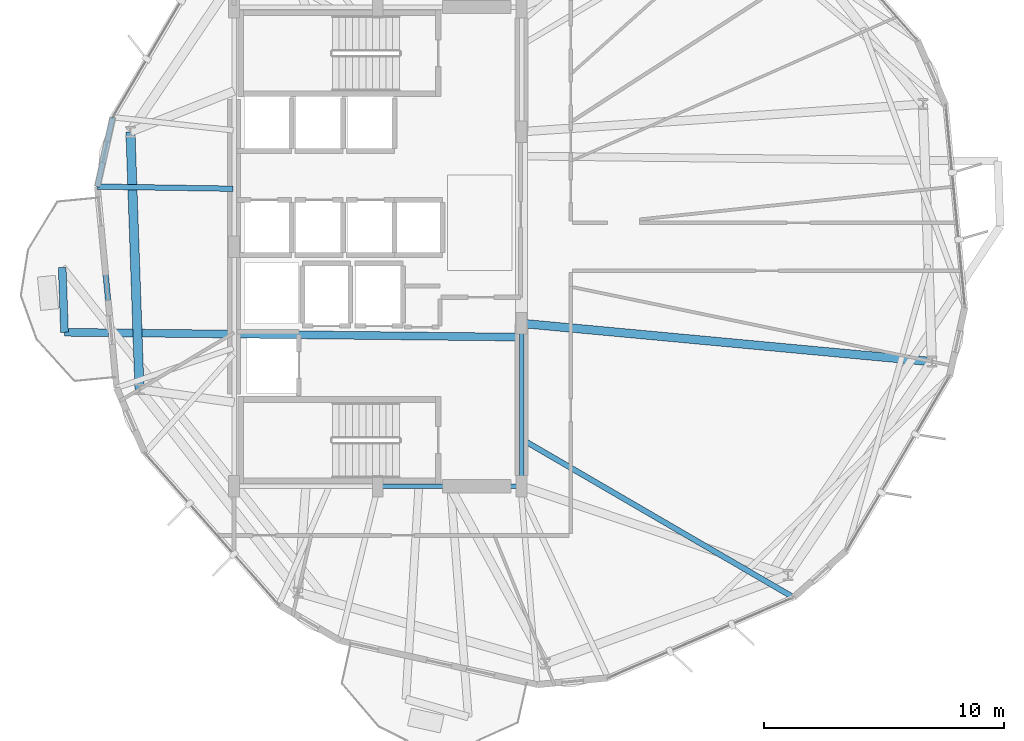
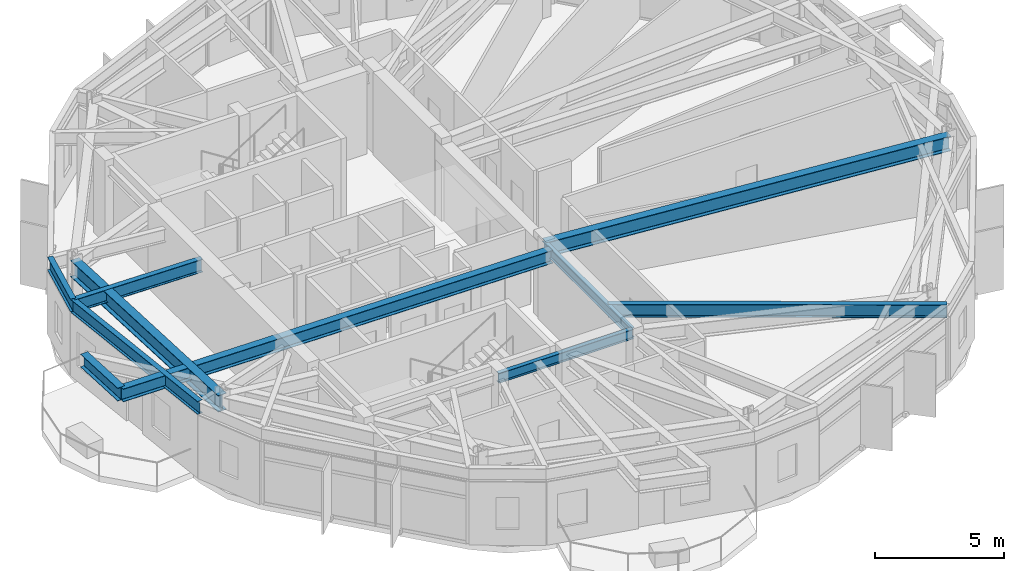
# One storey, part 7 of 23: 10 beams.
"""IFC4 building model written with IfcOpenShell, lengths in metres."""

from ifc_helpers import new_model, si_unit, direction, frame, origin, origin_2d, place, context, subcontext, project, spatial, i_section, extrude, material, material_profile, profile_set, type_object, element, save


model = new_model("IFC4")

# Units and contexts
model_context = context("Model", 3, precision=1e-05, world=origin(), true_north=direction((0.0, 1.0)))
body_context = subcontext(model_context, "Body", "Model", "MODEL_VIEW")
ifc_project = project(units=[si_unit("LENGTHUNIT", "METRE"), si_unit("AREAUNIT", "SQUARE_METRE"), si_unit("VOLUMEUNIT", "CUBIC_METRE"), si_unit("PLANEANGLEUNIT", "RADIAN"), si_unit("MASSUNIT", "GRAM", prefix="KILO")], contexts=[model_context])

# Site, building, storey
site_placement = place(None, origin())
site = spatial("IfcSite", under=ifc_project, at=site_placement, CompositionType="ELEMENT")
building_placement = place(site_placement, origin())
building = spatial("IfcBuilding", under=site, at=building_placement, Name="Soratama Intermodal Tower", CompositionType="ELEMENT")
storey_placement = place(building_placement, frame((0.0, 0.0, 118.60009765625)))
storey = spatial("IfcBuildingStorey", under=building, at=storey_placement, Name="L28", CompositionType="ELEMENT", Elevation=118.60009765625)

# Beams
ifc_material_1 = material(Name="Structural steel ASTM A992 Grade 50", Category="steel")
ifc_material_profile_1 = material_profile(ifc_material_1, i_section(OverallWidth=0.324951171875, OverallDepth=0.615966796875, WebThickness=0.013916015625, FlangeThickness=0.021484375, FilletRadius=0.013916015625, at=origin_2d()), Name="W24X117")
ifc_profile_set_1 = profile_set([ifc_material_profile_1], Name="Structural steel ASTM A992 Grade 50")
beam_type_1 = type_object("IfcBeamType", Name="BM-CANT-W24X117", PredefinedType="BEAM", material=ifc_profile_set_1)
beam_1_placement = place(storey_placement, frame((25.425048828125, 24.135986328125, 3.2919921875), z_axis=(0.035408722991, -0.99937291455, 0.0), x_axis=(0.99937291455, 0.035408722991, 0.0)))
element("IfcBeam", 1, at=beam_1_placement, inside=storey, type_object=beam_type_1, Name="BM-L28-CBHDR-2", PredefinedType="BEAM", context=body_context, shape_type="SweptSolid", body=[
    extrude(i_section(OverallWidth=0.324951171875, OverallDepth=0.615966796875, WebThickness=0.013916015625, FlangeThickness=0.021484375, FilletRadius=0.013916015625, at=origin_2d()), origin(), (0.0, 0.0, 1.0), 2.709716796875),
])
beam_2_placement = place(storey_placement, frame((44.56005859375, 21.22607421875, 3.2919921875), z_axis=(-0.999943774493, 0.010604143177, 0.0), x_axis=(-0.010604143177, -0.999943774493, 0.0)))
element("IfcBeam", 2, at=beam_2_placement, inside=storey, type_object=beam_type_1, Name="BM-L28-CANT-2-2", PredefinedType="BEAM", context=body_context, shape_type="SweptSolid", body=[
    extrude(i_section(OverallWidth=0.324951171875, OverallDepth=0.615966796875, WebThickness=0.013916015625, FlangeThickness=0.021484375, FilletRadius=0.013916015625, at=origin_2d()), origin(), (0.0, 0.0, 1.0), 19.0400390625),
])
ifc_material_2 = material(Name="Structural steel ASTM A992 Grade 50", Category="steel")
ifc_material_profile_2 = material_profile(ifc_material_2, i_section(OverallWidth=0.19091796875, OverallDepth=0.4599609375, WebThickness=0.010009765625, FlangeThickness=0.01611328125, FilletRadius=0.010986328125, at=origin_2d()), Name="W18X55")
ifc_profile_set_2 = profile_set([ifc_material_profile_2], Name="Structural steel ASTM A992 Grade 50")
beam_type_2 = type_object("IfcBeamType", Name="BM-FLR-W18X55", PredefinedType="BEAM", material=ifc_profile_set_2)
beam_3_placement = place(storey_placement, frame((38.60009765625, 15.0, 3.369873046875), z_axis=(1.0, 0.0, 0.0), x_axis=(0.0, 1.0, 0.0)))
element("IfcBeam", 3, at=beam_3_placement, inside=storey, type_object=beam_type_2, Name="BM-L28-CRING-02", PredefinedType="BEAM", context=body_context, shape_type="SweptSolid", body=[
    extrude(i_section(OverallWidth=0.19091796875, OverallDepth=0.4599609375, WebThickness=0.010009765625, FlangeThickness=0.01611328125, FilletRadius=0.010986328125, at=origin_2d()), origin(), (0.0, 0.0, 1.0), 6.0),
])
beam_4_placement = place(storey_placement, frame((44.60009765625, 15.0, 3.369873046875), z_axis=(0.0, 1.0, 0.0), x_axis=(-1.0, 0.0, 0.0)))
element("IfcBeam", 4, at=beam_4_placement, inside=storey, type_object=beam_type_2, Name="BM-L28-CRING-03", PredefinedType="BEAM", context=body_context, shape_type="SweptSolid", body=[
    extrude(i_section(OverallWidth=0.19091796875, OverallDepth=0.4599609375, WebThickness=0.010009765625, FlangeThickness=0.01611328125, FilletRadius=0.010986328125, at=origin_2d()), origin(), (0.0, 0.0, 1.0), 6.800048828125),
])
ifc_material_3 = material(Name="Structural steel ASTM A992 Grade 50", Category="steel")
ifc_material_profile_3 = material_profile(ifc_material_3, i_section(OverallWidth=0.35498046875, OverallDepth=0.695068359375, WebThickness=0.015380859375, FlangeThickness=0.02490234375, FilletRadius=0.01611328125, at=origin_2d()), Name="W27X146")
ifc_profile_set_3 = profile_set([ifc_material_profile_3], Name="Structural steel ASTM A992 Grade 50")
beam_type_3 = type_object("IfcBeamType", Name="BM-RING-W27X146", PredefinedType="BEAM", material=ifc_profile_set_3)
beam_5_placement = place(storey_placement, frame((44.60009765625, 21.800048828125, 3.25244140625), z_axis=(0.995686011515, -0.092786671855, 0.0), x_axis=(0.092786671855, 0.995686011515, 0.0)))
element("IfcBeam", 5, at=beam_5_placement, inside=storey, type_object=beam_type_3, Name="BM-L28-RAD-10", PredefinedType="BEAM", context=body_context, shape_type="SweptSolid", body=[
    extrude(i_section(OverallWidth=0.35498046875, OverallDepth=0.695068359375, WebThickness=0.015380859375, FlangeThickness=0.02490234375, FilletRadius=0.01611328125, at=origin_2d()), origin(), (0.0, 0.0, 1.0), 17.2001953125),
])
ifc_material_4 = material(Name="Structural steel ASTM A992 Grade 50", Category="steel")
ifc_material_profile_4 = material_profile(ifc_material_4, i_section(OverallWidth=0.382080078125, OverallDepth=0.779052734375, WebThickness=0.01806640625, FlangeThickness=0.030029296875, FilletRadius=0.01806640625, at=origin_2d()), Name="W30X191")
ifc_profile_set_4 = profile_set([ifc_material_profile_4], Name="Structural steel ASTM A992 Grade 50")
beam_type_4 = type_object("IfcBeamType", Name="BM-RING-W30X191", PredefinedType="BEAM", material=ifc_profile_set_4)
beam_6_placement = place(storey_placement, frame((28.27392578125, 29.7958984375, 3.21044921875), z_axis=(0.034872799059, -0.999391758964, 0.0), x_axis=(0.999391758964, 0.034872799059, 0.0)))
element("IfcBeam", 6, at=beam_6_placement, inside=storey, type_object=beam_type_4, Name="BM-L28-RING-05", PredefinedType="BEAM", context=body_context, shape_type="SweptSolid", body=[
    extrude(i_section(OverallWidth=0.382080078125, OverallDepth=0.779052734375, WebThickness=0.01806640625, FlangeThickness=0.030029296875, FilletRadius=0.01806640625, at=origin_2d()), origin(), (0.0, 0.0, 1.0), 10.75341796875),
])
ifc_material_5 = material(Name="Structural steel ASTM A992 Grade 50", Category="steel")
ifc_material_profile_5 = material_profile(ifc_material_5, i_section(OverallWidth=0.22900390625, OverallDepth=0.612060546875, WebThickness=0.011962890625, FlangeThickness=0.01953125, FilletRadius=0.012939453125, at=origin_2d()), Name="W24X84")
ifc_profile_set_5 = profile_set([ifc_material_profile_5], Name="Structural steel ASTM A992 Grade 50")
beam_type_5 = type_object("IfcBeamType", Name="BM-SPN-W24X84", PredefinedType="SPANDREL", material=ifc_profile_set_5)
beam_7_placement = place(storey_placement, frame((27.532958984375, 30.405029296875, 3.2939453125), z_axis=(-0.217087294611, -0.976152194342, 0.0), x_axis=(0.976152194342, -0.217087294611, 0.0)))
element("IfcBeam", 7, at=beam_7_placement, inside=storey, type_object=beam_type_5, Name="BS-L28-CRN04", PredefinedType="SPANDREL", context=body_context, shape_type="SweptSolid", body=[
    extrude(i_section(OverallWidth=0.22900390625, OverallDepth=0.612060546875, WebThickness=0.011962890625, FlangeThickness=0.01953125, FilletRadius=0.012939453125, at=origin_2d()), origin(), (0.0, 0.0, 1.0), 2.966796875),
])
beam_8_placement = place(storey_placement, frame((26.888916015625, 27.509033203125, 3.2939453125), z_axis=(0.095124369878, -0.99546539581, 0.0), x_axis=(0.99546539581, 0.095124369878, 0.0)))
element("IfcBeam", 8, at=beam_8_placement, inside=storey, type_object=beam_type_5, Name="BS-L28-F05", PredefinedType="SPANDREL", context=body_context, shape_type="SweptSolid", body=[
    extrude(i_section(OverallWidth=0.22900390625, OverallDepth=0.612060546875, WebThickness=0.011962890625, FlangeThickness=0.01953125, FilletRadius=0.012939453125, at=origin_2d()), origin(), (0.0, 0.0, 1.0), 8.44140625),
])
ifc_material_6 = material(Name="Structural steel ASTM A992 Grade 50", Category="steel")
ifc_material_profile_6 = material_profile(ifc_material_6, i_section(OverallWidth=0.22900390625, OverallDepth=0.612060546875, WebThickness=0.011962890625, FlangeThickness=0.01953125, FilletRadius=0.012939453125, at=origin_2d()), Name="W24X84")
ifc_profile_set_6 = profile_set([ifc_material_profile_6], Name="Structural steel ASTM A992 Grade 50")
beam_type_6 = type_object("IfcBeamType", Name="BM-TIE-W24X84", PredefinedType="BEAM", material=ifc_profile_set_6)
beam_9_placement = place(storey_placement, frame((32.56005859375, 27.4208984375, 3.2939453125), z_axis=(-0.999879261793, 0.015539042297, 0.0), x_axis=(-0.015539042297, -0.999879261793, 0.0)))
element("IfcBeam", 9, at=beam_9_placement, inside=storey, type_object=beam_type_6, Name="BM-L28-TIE0-05", PredefinedType="BEAM", context=body_context, shape_type="SweptSolid", body=[
    extrude(i_section(OverallWidth=0.22900390625, OverallDepth=0.612060546875, WebThickness=0.011962890625, FlangeThickness=0.01953125, FilletRadius=0.012939453125, at=origin_2d()), origin(), (0.0, 0.0, 1.0), 5.671875),
])
beam_10_placement = place(storey_placement, frame((44.635009765625, 16.947021484375, 3.2939453125), z_axis=(0.864338907926, -0.502909785394, 0.0), x_axis=(0.502909785394, 0.864338907926, 0.0)))
element("IfcBeam", 10, at=beam_10_placement, inside=storey, type_object=beam_type_6, Name="BM-L28-TIE1-08", PredefinedType="BEAM", context=body_context, shape_type="SweptSolid", body=[
    extrude(i_section(OverallWidth=0.22900390625, OverallDepth=0.612060546875, WebThickness=0.011962890625, FlangeThickness=0.01953125, FilletRadius=0.012939453125, at=origin_2d()), origin(), (0.0, 0.0, 1.0), 13.095703125),
])

save(model, "model.ifc")
